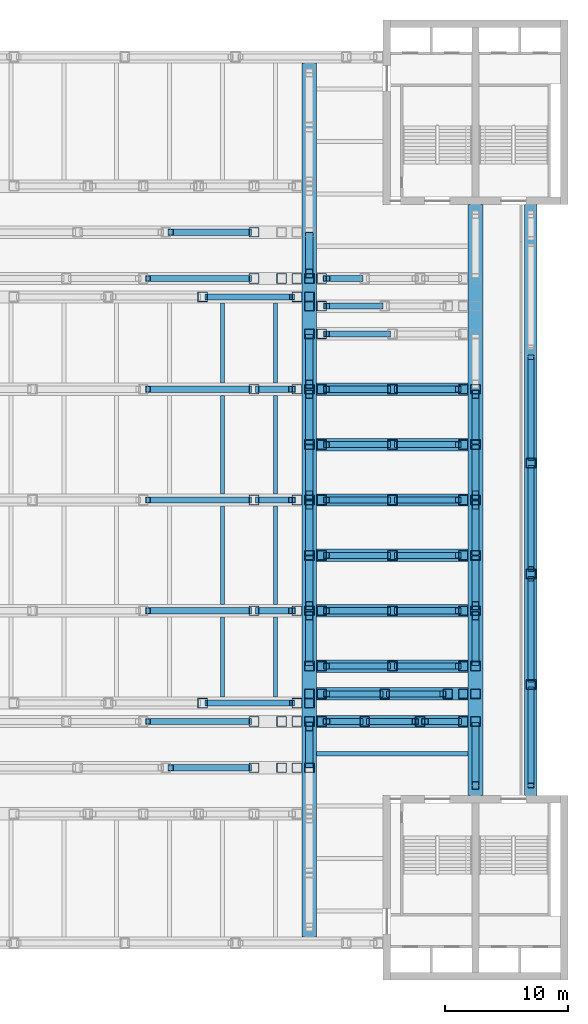
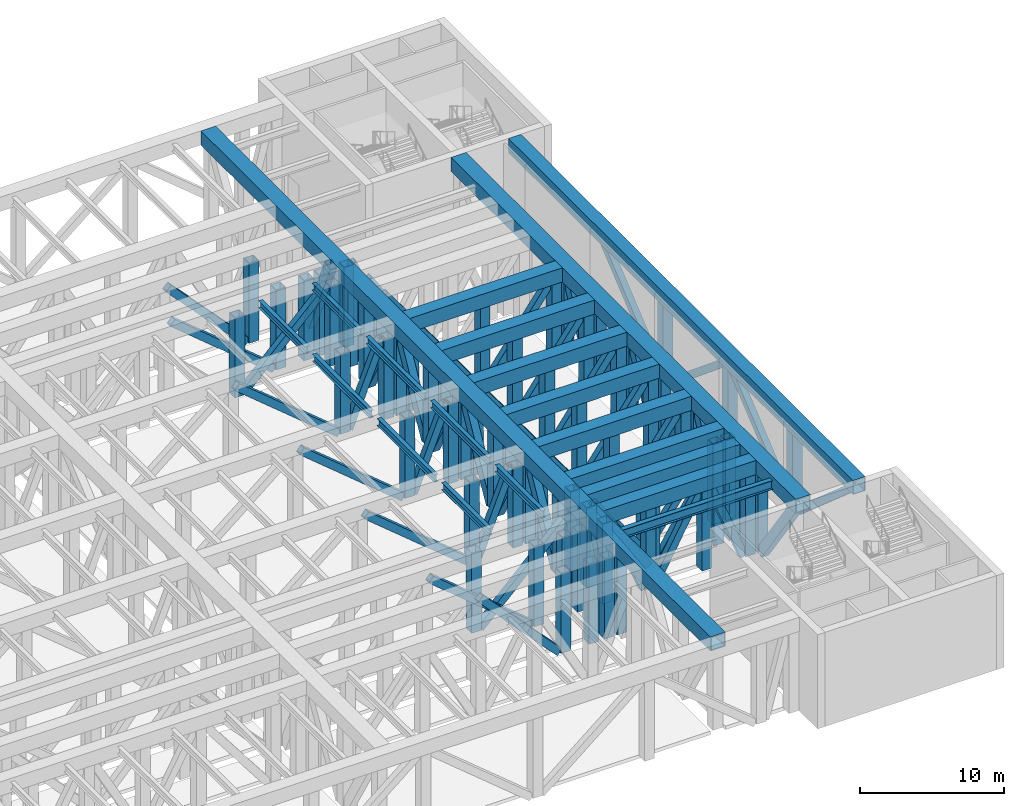
# One storey, part 4 of 20: 135 members, 9 beams.
"""IFC4 building model written with IfcOpenShell, lengths in metres."""

from ifc_helpers import new_model, si_unit, direction, frame, origin, origin_2d, place, context, subcontext, project, spatial, hollow_rectangle, i_section, extrude, material, material_profile, profile_set, type_object, element, save


model = new_model("IFC4")

# Units and contexts
model_context = context("Model", 3, precision=1e-05, world=origin(), true_north=direction((0.0, 1.0)))
body_context = subcontext(model_context, "Body", "Model", "MODEL_VIEW")
ifc_project = project(units=[si_unit("LENGTHUNIT", "METRE"), si_unit("AREAUNIT", "SQUARE_METRE"), si_unit("VOLUMEUNIT", "CUBIC_METRE"), si_unit("PLANEANGLEUNIT", "RADIAN"), si_unit("MASSUNIT", "GRAM", prefix="KILO")], contexts=[model_context])

# Site, building, storey
site_placement = place(None, origin())
site = spatial("IfcSite", under=ifc_project, at=site_placement, CompositionType="ELEMENT")
building_placement = place(site_placement, origin())
building = spatial("IfcBuilding", under=site, at=building_placement, Name="Corbelhall Arena Tower", CompositionType="ELEMENT")
storey_placement = place(building_placement, frame((0.0, 0.0, 44.0)))
storey = spatial("IfcBuildingStorey", under=building, at=storey_placement, Name="L06", CompositionType="ELEMENT", Elevation=44.0)

# Beams
ifc_material_1 = material(Name="Steel ASTM A992 Gr50", Category="steel")
ifc_material_profile_1 = material_profile(ifc_material_1, i_section(OverallWidth=0.323974609375, OverallDepth=0.611083984375, WebThickness=0.0126953125, FlangeThickness=0.01904296875, at=origin_2d()))
ifc_profile_set_1 = profile_set([ifc_material_profile_1], Name="Steel ASTM A992 Gr50")
beam_type_1 = type_object("IfcBeamType", Name="PO-BEAM-W24X104", PredefinedType="BEAM", material=ifc_profile_set_1)
for number, where, z_axis, x_axis, name in (
    (1, (19.949951171875, -16.0, 7.39453125), (0.0, 1.0, 0.0), (-1.0, 0.0, 0.0), "DECK BEAM MID 32.5"),
    (2, (24.25, -16.0, 7.39453125), (0.0, 1.0, 0.0), (-1.0, 0.0, 0.0), "DECK BEAM MID 32.6"),
):
    element("IfcBeam", number, at=place(storey_placement, frame(where, z_axis=z_axis, x_axis=x_axis)), inside=storey, type_object=beam_type_1, Name=name, PredefinedType="BEAM", context=body_context, shape_type="SweptSolid", body=[
        extrude(i_section(OverallWidth=0.323974609375, OverallDepth=0.611083984375, WebThickness=0.0126953125, FlangeThickness=0.01904296875, at=origin_2d()), origin(), (0.0, 0.0, 1.0), 6.5),
    ])
for number, where, z_axis, x_axis, name in (
    (3, (19.949951171875, -8.5, 7.39453125), (0.0, 1.0, 0.0), (-1.0, 0.0, 0.0), "DECK BEAM MID 33.5"),
    (4, (24.25, -8.5, 7.39453125), (0.0, 1.0, 0.0), (-1.0, 0.0, 0.0), "DECK BEAM MID 33.6"),
    (5, (19.949951171875, 0.5, 7.39453125), (0.0, 1.0, 0.0), (-1.0, 0.0, 0.0), "DECK BEAM MID 34.5"),
    (6, (24.25, 0.5, 7.39453125), (0.0, 1.0, 0.0), (-1.0, 0.0, 0.0), "DECK BEAM MID 34.6"),
):
    element("IfcBeam", number, at=place(storey_placement, frame(where, z_axis=z_axis, x_axis=x_axis)), inside=storey, type_object=beam_type_1, Name=name, PredefinedType="BEAM", context=body_context, shape_type="SweptSolid", body=[
        extrude(i_section(OverallWidth=0.323974609375, OverallDepth=0.611083984375, WebThickness=0.0126953125, FlangeThickness=0.01904296875, at=origin_2d()), origin(), (0.0, 0.0, 1.0), 8.0),
    ])
for number, where, z_axis, x_axis, name in (
    (7, (19.949951171875, 9.5, 7.39453125), (0.0, 1.0, 0.0), (-1.0, 0.0, 0.0), "DECK BEAM MID 35.5"),
    (8, (24.25, 9.5, 7.39453125), (0.0, 1.0, 0.0), (-1.0, 0.0, 0.0), "DECK BEAM MID 35.6"),
):
    element("IfcBeam", number, at=place(storey_placement, frame(where, z_axis=z_axis, x_axis=x_axis)), inside=storey, type_object=beam_type_1, Name=name, PredefinedType="BEAM", context=body_context, shape_type="SweptSolid", body=[
        extrude(i_section(OverallWidth=0.323974609375, OverallDepth=0.611083984375, WebThickness=0.0126953125, FlangeThickness=0.01904296875, at=origin_2d()), origin(), (0.0, 0.0, 1.0), 6.5),
    ])
ifc_material_profile_2 = material_profile(ifc_material_1, i_section(OverallWidth=0.381103515625, OverallDepth=0.77294921875, WebThickness=0.0166015625, FlangeThickness=0.027099609375, at=origin_2d()))
ifc_profile_set_2 = profile_set([ifc_material_profile_2], Name="Steel ASTM A992 Gr50")
beam_type_2 = type_object("IfcBeamType", Name="PO-BEAM-W30X173", PredefinedType="BEAM", material=ifc_profile_set_2)
beam_placement = place(storey_placement, frame((27.60009765625, -20.625, 7.3134765625), z_axis=(1.0, 0.0, 0.0), x_axis=(0.0, 1.0, 0.0)))
element("IfcBeam", 9, at=beam_placement, inside=storey, type_object=beam_type_2, Name="DECK BEAM MID 40.4", PredefinedType="BEAM", context=body_context, shape_type="SweptSolid", body=[
    extrude(i_section(OverallWidth=0.381103515625, OverallDepth=0.77294921875, WebThickness=0.0166015625, FlangeThickness=0.027099609375, at=origin_2d()), origin(), (0.0, 0.0, 1.0), 12.2998046875),
])

# Members
ifc_material_2 = material(Name="Steel ASTM A572 Gr50", Category="steel")
ifc_material_profile_3 = material_profile(ifc_material_2, hollow_rectangle(XDim=0.5, YDim=0.60009765625, WallThickness=0.030029296875, at=origin_2d()))
ifc_profile_set_3 = profile_set([ifc_material_profile_3], Name="Steel ASTM A572 Gr50")
member_type_1 = type_object("IfcMemberType", Name="PO-BRACE-600X500X30", PredefinedType="BRACE", material=ifc_profile_set_3)
member_1_placement = place(storey_placement, frame((45.0, -23.199951171875, 6.800048828125), z_axis=(0.0, 0.753772430258, -0.657135544148), x_axis=(-1.0, 0.0, 0.0)))
element("IfcMember", 10, at=member_1_placement, inside=storey, type_object=member_type_1, Name="TRUSS EDGE-E BRACE 1.1", PredefinedType="BRACE", context=body_context, shape_type="SweptSolid", body=[
    extrude(hollow_rectangle(XDim=0.5, YDim=0.60009765625, WallThickness=0.030029296875, at=origin_2d()), origin(), (0.0, 0.0, 1.0), 10.347900390625),
])
for number, where, z_axis, x_axis, name in (
    (11, (45.0, -14.60009765625, 0.0), (0.0, 0.769763178873, 0.638329576669), (-1.0, 0.0, 0.0), "TRUSS EDGE-E BRACE 1.2"),
    (12, (45.0, -5.60009765625, 6.800048828125), (0.0, 0.769763178873, -0.638329576669), (-1.0, 0.0, 0.0), "TRUSS EDGE-E BRACE 1.3"),
    (13, (45.0, 3.39990234375, 0.0), (0.0, 0.769763178873, 0.638329576669), (-1.0, 0.0, 0.0), "TRUSS EDGE-E BRACE 1.4"),
):
    element("IfcMember", number, at=place(storey_placement, frame(where, z_axis=z_axis, x_axis=x_axis)), inside=storey, type_object=member_type_1, Name=name, PredefinedType="BRACE", context=body_context, shape_type="SweptSolid", body=[
        extrude(hollow_rectangle(XDim=0.5, YDim=0.60009765625, WallThickness=0.030029296875, at=origin_2d()), origin(), (0.0, 0.0, 1.0), 10.65283203125),
    ])
member_2_placement = place(storey_placement, frame((15.7333984375, -21.75, 6.800048828125), z_axis=(0.683464108742, 0.0, -0.729984117677), x_axis=(0.0, 1.0, 0.0)))
element("IfcMember", 14, at=member_2_placement, inside=storey, type_object=member_type_1, Name="TRUSS SEC-S21.75-2 BRACE 1.3", PredefinedType="BRACE", context=body_context, shape_type="SweptSolid", body=[
    extrude(hollow_rectangle(XDim=0.5, YDim=0.60009765625, WallThickness=0.030029296875, at=origin_2d()), origin(), (0.0, 0.0, 1.0), 9.3154296875),
])
member_3_placement = place(storey_placement, frame((13.89990234375, -18.0, 6.800048828125), z_axis=(0.769763178873, 0.0, -0.638329576669), x_axis=(0.0, 1.0, 0.0)))
element("IfcMember", 15, at=member_3_placement, inside=storey, type_object=member_type_1, Name="TRUSS SEC-S18.00-2 BRACE 1.3", PredefinedType="BRACE", context=body_context, shape_type="SweptSolid", body=[
    extrude(hollow_rectangle(XDim=0.5, YDim=0.60009765625, WallThickness=0.030029296875, at=origin_2d()), origin(), (0.0, 0.0, 1.0), 10.65283203125),
])
member_4_placement = place(storey_placement, frame((28.39990234375, -18.0, 6.800048828125), z_axis=(0.369053718093, 0.0, -0.929408066008), x_axis=(0.0, 1.0, 0.0)))
element("IfcMember", 16, at=member_4_placement, inside=storey, type_object=member_type_1, Name="TRUSS SEC-S18.00-3 BRACE 1.1", PredefinedType="BRACE", context=body_context, shape_type="SweptSolid", body=[
    extrude(hollow_rectangle(XDim=0.5, YDim=0.60009765625, WallThickness=0.030029296875, at=origin_2d()), origin(), (0.0, 0.0, 1.0), 7.316650390625),
])
member_5_placement = place(storey_placement, frame((31.89990234375, -18.0, 0.0), z_axis=(0.477963647565, 0.0, 0.878379617026), x_axis=(0.0, 1.0, 0.0)))
element("IfcMember", 17, at=member_5_placement, inside=storey, type_object=member_type_1, Name="TRUSS SEC-S18.00-3 BRACE 1.2", PredefinedType="BRACE", context=body_context, shape_type="SweptSolid", body=[
    extrude(hollow_rectangle(XDim=0.5, YDim=0.60009765625, WallThickness=0.030029296875, at=origin_2d()), origin(), (0.0, 0.0, 1.0), 7.74169921875),
])
member_6_placement = place(storey_placement, frame((36.39990234375, -18.0, 6.800048828125), z_axis=(0.369053718093, 0.0, -0.929408066008), x_axis=(0.0, 1.0, 0.0)))
element("IfcMember", 18, at=member_6_placement, inside=storey, type_object=member_type_1, Name="TRUSS SEC-S18.00-3 BRACE 1.3", PredefinedType="BRACE", context=body_context, shape_type="SweptSolid", body=[
    extrude(hollow_rectangle(XDim=0.5, YDim=0.60009765625, WallThickness=0.030029296875, at=origin_2d()), origin(), (0.0, 0.0, 1.0), 7.316650390625),
])
member_7_placement = place(storey_placement, frame((18.7333984375, -16.5, 0.0), z_axis=(0.71054677033, 0.0, 0.703649974898), x_axis=(0.0, 1.0, 0.0)))
element("IfcMember", 19, at=member_7_placement, inside=storey, type_object=member_type_1, Name="TRUSS SEC-S16.50-2 BRACE 1.4", PredefinedType="BRACE", context=body_context, shape_type="SweptSolid", body=[
    extrude(hollow_rectangle(XDim=0.5, YDim=0.60009765625, WallThickness=0.030029296875, at=origin_2d()), origin(), (0.0, 0.0, 1.0), 9.6640625),
])
for number, where, z_axis, x_axis, name in (
    (20, (28.39990234375, -15.75, 6.800048828125), (0.536689259852, 0.0, -0.843779970347), (0.0, 1.0, 0.0), "TRUSS SEC-S15.75-3 BRACE 1.1"),
    (21, (33.52490234375, -15.75, 0.0), (0.536689259852, 0.0, 0.843779970347), (0.0, 1.0, 0.0), "TRUSS SEC-S15.75-3 BRACE 1.2"),
):
    element("IfcMember", number, at=place(storey_placement, frame(where, z_axis=z_axis, x_axis=x_axis)), inside=storey, type_object=member_type_1, Name=name, PredefinedType="BRACE", context=body_context, shape_type="SweptSolid", body=[
        extrude(hollow_rectangle(XDim=0.5, YDim=0.60009765625, WallThickness=0.030029296875, at=origin_2d()), origin(), (0.0, 0.0, 1.0), 8.05908203125),
    ])
for number, where, z_axis, x_axis, name in (
    (22, (28.39990234375, -13.5, 6.800048828125), (0.588537525925, 0.0, -0.808469900848), (0.0, 1.0, 0.0), "TRUSS SEC-S13.50-3 BRACE 1.1"),
    (23, (34.14990234375, -13.5, 0.0), (0.588537525925, 0.0, 0.808469900848), (0.0, 1.0, 0.0), "TRUSS SEC-S13.50-3 BRACE 1.2"),
):
    element("IfcMember", number, at=place(storey_placement, frame(where, z_axis=z_axis, x_axis=x_axis)), inside=storey, type_object=member_type_1, Name=name, PredefinedType="BRACE", context=body_context, shape_type="SweptSolid", body=[
        extrude(hollow_rectangle(XDim=0.5, YDim=0.60009765625, WallThickness=0.030029296875, at=origin_2d()), origin(), (0.0, 0.0, 1.0), 8.410888671875),
    ])
member_8_placement = place(storey_placement, frame((13.89990234375, -9.0, 6.800048828125), z_axis=(0.769763178873, 0.0, -0.638329576669), x_axis=(0.0, 1.0, 0.0)))
element("IfcMember", 24, at=member_8_placement, inside=storey, type_object=member_type_1, Name="TRUSS SEC-S09.00-2 BRACE 1.3", PredefinedType="BRACE", context=body_context, shape_type="SweptSolid", body=[
    extrude(hollow_rectangle(XDim=0.5, YDim=0.60009765625, WallThickness=0.030029296875, at=origin_2d()), origin(), (0.0, 0.0, 1.0), 10.65283203125),
])
member_9_placement = place(storey_placement, frame((22.89990234375, -9.0, 0.0), z_axis=(0.369053718093, 0.0, 0.929408066008), x_axis=(0.0, 1.0, 0.0)))
element("IfcMember", 25, at=member_9_placement, inside=storey, type_object=member_type_1, Name="TRUSS SEC-S09.00-2 BRACE 1.4", PredefinedType="BRACE", context=body_context, shape_type="SweptSolid", body=[
    extrude(hollow_rectangle(XDim=0.5, YDim=0.60009765625, WallThickness=0.030029296875, at=origin_2d()), origin(), (0.0, 0.0, 1.0), 7.316650390625),
])
for number, where, z_axis, x_axis, name in (
    (26, (28.39990234375, -9.0, 6.800048828125), (0.588537525925, 0.0, -0.808469900848), (0.0, 1.0, 0.0), "TRUSS SEC-S09.00-3 BRACE 1.1"),
    (27, (34.14990234375, -9.0, 0.0), (0.588537525925, 0.0, 0.808469900848), (0.0, 1.0, 0.0), "TRUSS SEC-S09.00-3 BRACE 1.2"),
    (28, (28.39990234375, -4.5, 6.800048828125), (0.588537525925, 0.0, -0.808469900848), (0.0, 1.0, 0.0), "TRUSS SEC-S04.50-3 BRACE 1.1"),
    (29, (34.14990234375, -4.5, 0.0), (0.588537525925, 0.0, 0.808469900848), (0.0, 1.0, 0.0), "TRUSS SEC-S04.50-3 BRACE 1.2"),
):
    element("IfcMember", number, at=place(storey_placement, frame(where, z_axis=z_axis, x_axis=x_axis)), inside=storey, type_object=member_type_1, Name=name, PredefinedType="BRACE", context=body_context, shape_type="SweptSolid", body=[
        extrude(hollow_rectangle(XDim=0.5, YDim=0.60009765625, WallThickness=0.030029296875, at=origin_2d()), origin(), (0.0, 0.0, 1.0), 8.410888671875),
    ])
member_10_placement = place(storey_placement, frame((13.89990234375, 0.0, 6.800048828125), z_axis=(0.769763178873, 0.0, -0.638329576669), x_axis=(0.0, 1.0, 0.0)))
element("IfcMember", 30, at=member_10_placement, inside=storey, type_object=member_type_1, Name="TRUSS SEC-N00.00-2 BRACE 1.3", PredefinedType="BRACE", context=body_context, shape_type="SweptSolid", body=[
    extrude(hollow_rectangle(XDim=0.5, YDim=0.60009765625, WallThickness=0.030029296875, at=origin_2d()), origin(), (0.0, 0.0, 1.0), 10.65283203125),
])
member_11_placement = place(storey_placement, frame((22.89990234375, 0.0, 0.0), z_axis=(0.369053718093, 0.0, 0.929408066008), x_axis=(0.0, 1.0, 0.0)))
element("IfcMember", 31, at=member_11_placement, inside=storey, type_object=member_type_1, Name="TRUSS SEC-N00.00-2 BRACE 1.4", PredefinedType="BRACE", context=body_context, shape_type="SweptSolid", body=[
    extrude(hollow_rectangle(XDim=0.5, YDim=0.60009765625, WallThickness=0.030029296875, at=origin_2d()), origin(), (0.0, 0.0, 1.0), 7.316650390625),
])
for number, where, z_axis, x_axis, name in (
    (32, (28.39990234375, 0.0, 6.800048828125), (0.588537525925, 0.0, -0.808469900848), (0.0, 1.0, 0.0), "TRUSS SEC-N00.00-3 BRACE 1.1"),
    (33, (34.14990234375, 0.0, 0.0), (0.588537525925, 0.0, 0.808469900848), (0.0, 1.0, 0.0), "TRUSS SEC-N00.00-3 BRACE 1.2"),
    (34, (28.39990234375, 4.5, 6.800048828125), (0.588537525925, 0.0, -0.808469900848), (0.0, 1.0, 0.0), "TRUSS SEC-N04.50-3 BRACE 1.1"),
    (35, (34.14990234375, 4.5, 0.0), (0.588537525925, 0.0, 0.808469900848), (0.0, 1.0, 0.0), "TRUSS SEC-N04.50-3 BRACE 1.2"),
):
    element("IfcMember", number, at=place(storey_placement, frame(where, z_axis=z_axis, x_axis=x_axis)), inside=storey, type_object=member_type_1, Name=name, PredefinedType="BRACE", context=body_context, shape_type="SweptSolid", body=[
        extrude(hollow_rectangle(XDim=0.5, YDim=0.60009765625, WallThickness=0.030029296875, at=origin_2d()), origin(), (0.0, 0.0, 1.0), 8.410888671875),
    ])
member_12_placement = place(storey_placement, frame((13.89990234375, 9.0, 6.800048828125), z_axis=(0.769763178873, 0.0, -0.638329576669), x_axis=(0.0, 1.0, 0.0)))
element("IfcMember", 36, at=member_12_placement, inside=storey, type_object=member_type_1, Name="TRUSS SEC-N09.00-2 BRACE 1.3", PredefinedType="BRACE", context=body_context, shape_type="SweptSolid", body=[
    extrude(hollow_rectangle(XDim=0.5, YDim=0.60009765625, WallThickness=0.030029296875, at=origin_2d()), origin(), (0.0, 0.0, 1.0), 10.65283203125),
])
member_13_placement = place(storey_placement, frame((22.89990234375, 9.0, 0.0), z_axis=(0.369053718093, 0.0, 0.929408066008), x_axis=(0.0, 1.0, 0.0)))
element("IfcMember", 37, at=member_13_placement, inside=storey, type_object=member_type_1, Name="TRUSS SEC-N09.00-2 BRACE 1.4", PredefinedType="BRACE", context=body_context, shape_type="SweptSolid", body=[
    extrude(hollow_rectangle(XDim=0.5, YDim=0.60009765625, WallThickness=0.030029296875, at=origin_2d()), origin(), (0.0, 0.0, 1.0), 7.316650390625),
])
for number, where, z_axis, x_axis, name in (
    (38, (28.39990234375, 9.0, 6.800048828125), (0.588537525925, 0.0, -0.808469900848), (0.0, 1.0, 0.0), "TRUSS SEC-N09.00-3 BRACE 1.1"),
    (39, (34.14990234375, 9.0, 0.0), (0.588537525925, 0.0, 0.808469900848), (0.0, 1.0, 0.0), "TRUSS SEC-N09.00-3 BRACE 1.2"),
    (40, (28.39990234375, 13.5, 6.800048828125), (0.588537525925, 0.0, -0.808469900848), (0.0, 1.0, 0.0), "TRUSS SEC-N13.50-3 BRACE 1.1"),
):
    element("IfcMember", number, at=place(storey_placement, frame(where, z_axis=z_axis, x_axis=x_axis)), inside=storey, type_object=member_type_1, Name=name, PredefinedType="BRACE", context=body_context, shape_type="SweptSolid", body=[
        extrude(hollow_rectangle(XDim=0.5, YDim=0.60009765625, WallThickness=0.030029296875, at=origin_2d()), origin(), (0.0, 0.0, 1.0), 8.410888671875),
    ])
member_14_placement = place(storey_placement, frame((28.39990234375, 15.75, 6.800048828125), z_axis=(0.536689259852, 0.0, -0.843779970347), x_axis=(0.0, 1.0, 0.0)))
element("IfcMember", 41, at=member_14_placement, inside=storey, type_object=member_type_1, Name="TRUSS SEC-N15.75-3 BRACE 1.1", PredefinedType="BRACE", context=body_context, shape_type="SweptSolid", body=[
    extrude(hollow_rectangle(XDim=0.5, YDim=0.60009765625, WallThickness=0.030029296875, at=origin_2d()), origin(), (0.0, 0.0, 1.0), 8.05908203125),
])
member_15_placement = place(storey_placement, frame((18.7333984375, 16.5, 0.0), z_axis=(0.71054677033, 0.0, 0.703649974898), x_axis=(0.0, 1.0, 0.0)))
element("IfcMember", 42, at=member_15_placement, inside=storey, type_object=member_type_1, Name="TRUSS SEC-N16.50-2 BRACE 1.4", PredefinedType="BRACE", context=body_context, shape_type="SweptSolid", body=[
    extrude(hollow_rectangle(XDim=0.5, YDim=0.60009765625, WallThickness=0.030029296875, at=origin_2d()), origin(), (0.0, 0.0, 1.0), 9.6640625),
])
member_16_placement = place(storey_placement, frame((13.89990234375, 18.0, 6.800048828125), z_axis=(0.769763178873, 0.0, -0.638329576669), x_axis=(0.0, 1.0, 0.0)))
element("IfcMember", 43, at=member_16_placement, inside=storey, type_object=member_type_1, Name="TRUSS SEC-N18.00-2 BRACE 1.3", PredefinedType="BRACE", context=body_context, shape_type="SweptSolid", body=[
    extrude(hollow_rectangle(XDim=0.5, YDim=0.60009765625, WallThickness=0.030029296875, at=origin_2d()), origin(), (0.0, 0.0, 1.0), 10.65283203125),
])
member_17_placement = place(storey_placement, frame((28.39990234375, 18.0, 6.800048828125), z_axis=(0.369053718093, 0.0, -0.929408066008), x_axis=(0.0, 1.0, 0.0)))
element("IfcMember", 44, at=member_17_placement, inside=storey, type_object=member_type_1, Name="TRUSS SEC-N18.00-3 BRACE 1.1", PredefinedType="BRACE", context=body_context, shape_type="SweptSolid", body=[
    extrude(hollow_rectangle(XDim=0.5, YDim=0.60009765625, WallThickness=0.030029296875, at=origin_2d()), origin(), (0.0, 0.0, 1.0), 7.316650390625),
])
member_18_placement = place(storey_placement, frame((15.7333984375, 21.75, 6.800048828125), z_axis=(0.683464108742, 0.0, -0.729984117677), x_axis=(0.0, 1.0, 0.0)))
element("IfcMember", 45, at=member_18_placement, inside=storey, type_object=member_type_1, Name="TRUSS SEC-N21.75-2 BRACE 1.3", PredefinedType="BRACE", context=body_context, shape_type="SweptSolid", body=[
    extrude(hollow_rectangle(XDim=0.5, YDim=0.60009765625, WallThickness=0.030029296875, at=origin_2d()), origin(), (0.0, 0.0, 1.0), 9.3154296875),
])
ifc_material_profile_4 = material_profile(ifc_material_2, hollow_rectangle(XDim=0.60009765625, YDim=0.800048828125, WallThickness=0.0400390625, at=origin_2d()))
ifc_profile_set_4 = profile_set([ifc_material_profile_4], Name="Steel ASTM A572 Gr50")
member_type_2 = type_object("IfcMemberType", Name="PO-BRACE-800X600X40", PredefinedType="BRACE", material=ifc_profile_set_4)
member_19_placement = place(storey_placement, frame((27.0, -21.35009765625, 0.0), z_axis=(0.0, 0.398005781953, 0.917382906715), x_axis=(-1.0, 0.0, 0.0)))
element("IfcMember", 46, at=member_19_placement, inside=storey, type_object=member_type_2, Name="TRUSS PRI-+27.0 BRACE 1.4", PredefinedType="BRACE", context=body_context, shape_type="SweptSolid", body=[
    extrude(hollow_rectangle(XDim=0.60009765625, YDim=0.800048828125, WallThickness=0.0400390625, at=origin_2d()), origin(), (0.0, 0.0, 1.0), 7.412353515625),
])
for number, where, z_axis, x_axis, name in (
    (47, (27.0, -13.10009765625, 0.0), (0.0, 0.477963647565, 0.878379617026), (-1.0, 0.0, 0.0), "TRUSS PRI-+27.0 BRACE 1.8"),
    (48, (27.0, -8.60009765625, 6.800048828125), (0.0, 0.477963647565, -0.878379617026), (-1.0, 0.0, 0.0), "TRUSS PRI-+27.0 BRACE 1.9"),
    (49, (27.0, -4.10009765625, 0.0), (0.0, 0.477963647565, 0.878379617026), (-1.0, 0.0, 0.0), "TRUSS PRI-+27.0 BRACE 1.10"),
    (50, (27.0, 0.39990234375, 6.800048828125), (0.0, 0.477963647565, -0.878379617026), (-1.0, 0.0, 0.0), "TRUSS PRI-+27.0 BRACE 1.11"),
    (51, (27.0, 4.89990234375, 0.0), (0.0, 0.477963647565, 0.878379617026), (-1.0, 0.0, 0.0), "TRUSS PRI-+27.0 BRACE 1.12"),
    (52, (27.0, 9.39990234375, 6.800048828125), (0.0, 0.477963647565, -0.878379617026), (-1.0, 0.0, 0.0), "TRUSS PRI-+27.0 BRACE 1.13"),
):
    element("IfcMember", number, at=place(storey_placement, frame(where, z_axis=z_axis, x_axis=x_axis)), inside=storey, type_object=member_type_2, Name=name, PredefinedType="BRACE", context=body_context, shape_type="SweptSolid", body=[
        extrude(hollow_rectangle(XDim=0.60009765625, YDim=0.800048828125, WallThickness=0.0400390625, at=origin_2d()), origin(), (0.0, 0.0, 1.0), 7.74169921875),
    ])
member_20_placement = place(storey_placement, frame((27.0, 18.39990234375, 6.800048828125), z_axis=(0.0, 0.398005781953, -0.917382906715), x_axis=(-1.0, 0.0, 0.0)))
element("IfcMember", 53, at=member_20_placement, inside=storey, type_object=member_type_2, Name="TRUSS PRI-+27.0 BRACE 1.17", PredefinedType="BRACE", context=body_context, shape_type="SweptSolid", body=[
    extrude(hollow_rectangle(XDim=0.60009765625, YDim=0.800048828125, WallThickness=0.0400390625, at=origin_2d()), origin(), (0.0, 0.0, 1.0), 7.412353515625),
])
member_21_placement = place(storey_placement, frame((40.5, -23.199951171875, 6.800048828125), z_axis=(0.0, 0.576684349177, -0.816967050385), x_axis=(-1.0, 0.0, 0.0)))
element("IfcMember", 54, at=member_21_placement, inside=storey, type_object=member_type_2, Name="TRUSS PRI-+40.5 BRACE 1.1", PredefinedType="BRACE", context=body_context, shape_type="SweptSolid", body=[
    extrude(hollow_rectangle(XDim=0.60009765625, YDim=0.800048828125, WallThickness=0.0400390625, at=origin_2d()), origin(), (0.0, 0.0, 1.0), 8.323486328125),
])
for number, where, z_axis, x_axis, name in (
    (55, (40.5, -13.10009765625, 0.0), (0.0, 0.477963647565, 0.878379617026), (-1.0, 0.0, 0.0), "TRUSS PRI-+40.5 BRACE 1.4"),
    (56, (40.5, -8.60009765625, 6.800048828125), (0.0, 0.477963647565, -0.878379617026), (-1.0, 0.0, 0.0), "TRUSS PRI-+40.5 BRACE 1.5"),
    (57, (40.5, -4.10009765625, 0.0), (0.0, 0.477963647565, 0.878379617026), (-1.0, 0.0, 0.0), "TRUSS PRI-+40.5 BRACE 1.6"),
    (58, (40.5, 0.39990234375, 6.800048828125), (0.0, 0.477963647565, -0.878379617026), (-1.0, 0.0, 0.0), "TRUSS PRI-+40.5 BRACE 1.7"),
    (59, (40.5, 4.89990234375, 0.0), (0.0, 0.477963647565, 0.878379617026), (-1.0, 0.0, 0.0), "TRUSS PRI-+40.5 BRACE 1.8"),
):
    element("IfcMember", number, at=place(storey_placement, frame(where, z_axis=z_axis, x_axis=x_axis)), inside=storey, type_object=member_type_2, Name=name, PredefinedType="BRACE", context=body_context, shape_type="SweptSolid", body=[
        extrude(hollow_rectangle(XDim=0.60009765625, YDim=0.800048828125, WallThickness=0.0400390625, at=origin_2d()), origin(), (0.0, 0.0, 1.0), 7.74169921875),
    ])
ifc_material_profile_5 = material_profile(ifc_material_2, hollow_rectangle(XDim=1.0, YDim=1.199951171875, WallThickness=0.06005859375, at=origin_2d()))
ifc_profile_set_5 = profile_set([ifc_material_profile_5], Name="Steel ASTM A572 Gr50")
member_type_3 = type_object("IfcMemberType", Name="PO-CHORD-1200X1000X60", PredefinedType="CHORD", material=ifc_profile_set_5)
member_22_placement = place(storey_placement, frame((45.0, -24.0, 7.39990234375), z_axis=(0.0, 1.0, 0.0), x_axis=(-1.0, 0.0, 0.0)))
element("IfcMember", 60, at=member_22_placement, inside=storey, type_object=member_type_3, Name="TRUSS EDGE-E MID CHORD", PredefinedType="CHORD", context=body_context, shape_type="SweptSolid", body=[
    extrude(hollow_rectangle(XDim=1.0, YDim=1.199951171875, WallThickness=0.06005859375, at=origin_2d()), origin(), (0.0, 0.0, 1.0), 48.0),
])
for number, where, z_axis, x_axis, name in (
    (61, (27.60009765625, -18.0, 7.39990234375), (1.0, 0.0, 0.0), (0.0, 1.0, 0.0), "TRUSS SEC-S18.00-3 MID CHORD"),
    (62, (27.60009765625, -15.75, 7.39990234375), (1.0, 0.0, 0.0), (0.0, 1.0, 0.0), "TRUSS SEC-S15.75-3 MID CHORD"),
    (63, (27.60009765625, -13.5, 7.39990234375), (1.0, 0.0, 0.0), (0.0, 1.0, 0.0), "TRUSS SEC-S13.50-3 MID CHORD"),
    (64, (27.60009765625, -9.0, 7.39990234375), (1.0, 0.0, 0.0), (0.0, 1.0, 0.0), "TRUSS SEC-S09.00-3 MID CHORD"),
    (65, (27.60009765625, -4.5, 7.39990234375), (1.0, 0.0, 0.0), (0.0, 1.0, 0.0), "TRUSS SEC-S04.50-3 MID CHORD"),
    (66, (27.60009765625, 0.0, 7.39990234375), (1.0, 0.0, 0.0), (0.0, 1.0, 0.0), "TRUSS SEC-N00.00-3 MID CHORD"),
    (67, (27.60009765625, 4.5, 7.39990234375), (1.0, 0.0, 0.0), (0.0, 1.0, 0.0), "TRUSS SEC-N04.50-3 MID CHORD"),
    (68, (27.60009765625, 9.0, 7.39990234375), (1.0, 0.0, 0.0), (0.0, 1.0, 0.0), "TRUSS SEC-N09.00-3 MID CHORD"),
):
    element("IfcMember", number, at=place(storey_placement, frame(where, z_axis=z_axis, x_axis=x_axis)), inside=storey, type_object=member_type_3, Name=name, PredefinedType="CHORD", context=body_context, shape_type="SweptSolid", body=[
        extrude(hollow_rectangle(XDim=1.0, YDim=1.199951171875, WallThickness=0.06005859375, at=origin_2d()), origin(), (0.0, 0.0, 1.0), 12.2998046875),
    ])
ifc_material_profile_6 = material_profile(ifc_material_2, hollow_rectangle(XDim=1.199951171875, YDim=1.199951171875, WallThickness=0.080078125, at=origin_2d()))
ifc_profile_set_6 = profile_set([ifc_material_profile_6], Name="Steel ASTM A572 Gr50")
member_type_4 = type_object("IfcMemberType", Name="PO-CHORD-1200X1200X80", PredefinedType="CHORD", material=ifc_profile_set_6)
member_23_placement = place(storey_placement, frame((27.0, -35.5, 7.39990234375), z_axis=(0.0, 1.0, 0.0), x_axis=(-1.0, 0.0, 0.0)))
element("IfcMember", 69, at=member_23_placement, inside=storey, type_object=member_type_4, Name="TRUSS PRI-+27.0 MID CHORD", PredefinedType="CHORD", context=body_context, shape_type="SweptSolid", body=[
    extrude(hollow_rectangle(XDim=1.199951171875, YDim=1.199951171875, WallThickness=0.080078125, at=origin_2d()), origin(), (0.0, 0.0, 1.0), 71.0),
])
member_24_placement = place(storey_placement, frame((40.5, -24.0, 7.39990234375), z_axis=(0.0, 1.0, 0.0), x_axis=(-1.0, 0.0, 0.0)))
element("IfcMember", 70, at=member_24_placement, inside=storey, type_object=member_type_4, Name="TRUSS PRI-+40.5 MID CHORD", PredefinedType="CHORD", context=body_context, shape_type="SweptSolid", body=[
    extrude(hollow_rectangle(XDim=1.199951171875, YDim=1.199951171875, WallThickness=0.080078125, at=origin_2d()), origin(), (0.0, 0.0, 1.0), 48.0),
])
ifc_material_profile_7 = material_profile(ifc_material_2, hollow_rectangle(XDim=0.800048828125, YDim=0.800048828125, WallThickness=0.050048828125, at=origin_2d()))
ifc_profile_set_7 = profile_set([ifc_material_profile_7], Name="Steel ASTM A572 Gr50")
member_type_5 = type_object("IfcMemberType", Name="PO-POST-800", PredefinedType="POST", material=ifc_profile_set_7)
for number, where, z_axis, x_axis, name in (
    (71, (45.0, -15.0, 0.0), (0.0, 0.0, 1.0), (1.0, 0.0, 0.0), "TRUSS EDGE-E POST 1.2"),
    (72, (45.0, -6.0, 0.0), (0.0, 0.0, 1.0), (1.0, 0.0, 0.0), "TRUSS EDGE-E POST 1.3"),
    (73, (45.0, 3.0, 0.0), (0.0, 0.0, 1.0), (1.0, 0.0, 0.0), "TRUSS EDGE-E POST 1.4"),
    (74, (22.5, -21.75, 0.0), (0.0, 0.0, 1.0), (1.0, 0.0, 0.0), "TRUSS SEC-S21.75-2 POST 1.4"),
    (75, (24.75, -21.75, 0.0), (0.0, 0.0, 1.0), (1.0, 0.0, 0.0), "TRUSS SEC-S21.75-2 POST 1.5"),
    (76, (26.0, -21.75, 0.0), (0.0, 0.0, 1.0), (1.0, 0.0, 0.0), "TRUSS SEC-S21.75-2 POST 1.6"),
    (77, (22.5, -18.0, 0.0), (0.0, 0.0, 1.0), (1.0, 0.0, 0.0), "TRUSS SEC-S18.00-2 POST 1.4"),
    (78, (24.75, -18.0, 0.0), (0.0, 0.0, 1.0), (1.0, 0.0, 0.0), "TRUSS SEC-S18.00-2 POST 1.5"),
    (79, (26.0, -18.0, 0.0), (0.0, 0.0, 1.0), (1.0, 0.0, 0.0), "TRUSS SEC-S18.00-2 POST 1.6"),
    (80, (28.0, -18.0, 0.0), (0.0, 0.0, 1.0), (1.0, 0.0, 0.0), "TRUSS SEC-S18.00-3 POST 1.1"),
    (81, (31.5, -18.0, 0.0), (0.0, 0.0, 1.0), (1.0, 0.0, 0.0), "TRUSS SEC-S18.00-3 POST 1.2"),
    (82, (36.0, -18.0, 0.0), (0.0, 0.0, 1.0), (1.0, 0.0, 0.0), "TRUSS SEC-S18.00-3 POST 1.3"),
    (83, (39.5, -18.0, 0.0), (0.0, 0.0, 1.0), (1.0, 0.0, 0.0), "TRUSS SEC-S18.00-3 POST 1.4"),
    (84, (18.333251953125, -16.5, 0.0), (0.0, 0.0, 1.0), (1.0, 0.0, 0.0), "TRUSS SEC-S16.50-2 POST 1.4"),
    (85, (26.0, -16.5, 0.0), (0.0, 0.0, 1.0), (1.0, 0.0, 0.0), "TRUSS SEC-S16.50-2 POST 1.5"),
    (86, (28.0, -15.75, 0.0), (0.0, 0.0, 1.0), (1.0, 0.0, 0.0), "TRUSS SEC-S15.75-3 POST 1.1"),
    (87, (33.125, -15.75, 0.0), (0.0, 0.0, 1.0), (1.0, 0.0, 0.0), "TRUSS SEC-S15.75-3 POST 1.2"),
    (88, (38.25, -15.75, 0.0), (0.0, 0.0, 1.0), (1.0, 0.0, 0.0), "TRUSS SEC-S15.75-3 POST 1.3"),
    (89, (39.5, -15.75, 0.0), (0.0, 0.0, 1.0), (1.0, 0.0, 0.0), "TRUSS SEC-S15.75-3 POST 1.4"),
    (90, (28.0, -13.5, 0.0), (0.0, 0.0, 1.0), (1.0, 0.0, 0.0), "TRUSS SEC-S13.50-3 POST 1.1"),
    (91, (33.75, -13.5, 0.0), (0.0, 0.0, 1.0), (1.0, 0.0, 0.0), "TRUSS SEC-S13.50-3 POST 1.2"),
    (92, (39.5, -13.5, 0.0), (0.0, 0.0, 1.0), (1.0, 0.0, 0.0), "TRUSS SEC-S13.50-3 POST 1.3"),
    (93, (22.5, -9.0, 0.0), (0.0, 0.0, 1.0), (1.0, 0.0, 0.0), "TRUSS SEC-S09.00-2 POST 1.4"),
    (94, (26.0, -9.0, 0.0), (0.0, 0.0, 1.0), (1.0, 0.0, 0.0), "TRUSS SEC-S09.00-2 POST 1.5"),
    (95, (28.0, -9.0, 0.0), (0.0, 0.0, 1.0), (1.0, 0.0, 0.0), "TRUSS SEC-S09.00-3 POST 1.1"),
    (96, (33.75, -9.0, 0.0), (0.0, 0.0, 1.0), (1.0, 0.0, 0.0), "TRUSS SEC-S09.00-3 POST 1.2"),
    (97, (39.5, -9.0, 0.0), (0.0, 0.0, 1.0), (1.0, 0.0, 0.0), "TRUSS SEC-S09.00-3 POST 1.3"),
    (98, (28.0, -4.5, 0.0), (0.0, 0.0, 1.0), (1.0, 0.0, 0.0), "TRUSS SEC-S04.50-3 POST 1.1"),
    (99, (33.75, -4.5, 0.0), (0.0, 0.0, 1.0), (1.0, 0.0, 0.0), "TRUSS SEC-S04.50-3 POST 1.2"),
    (100, (39.5, -4.5, 0.0), (0.0, 0.0, 1.0), (1.0, 0.0, 0.0), "TRUSS SEC-S04.50-3 POST 1.3"),
    (101, (22.5, 0.0, 0.0), (0.0, 0.0, 1.0), (1.0, 0.0, 0.0), "TRUSS SEC-N00.00-2 POST 1.4"),
    (102, (26.0, 0.0, 0.0), (0.0, 0.0, 1.0), (1.0, 0.0, 0.0), "TRUSS SEC-N00.00-2 POST 1.5"),
    (103, (28.0, 0.0, 0.0), (0.0, 0.0, 1.0), (1.0, 0.0, 0.0), "TRUSS SEC-N00.00-3 POST 1.1"),
    (104, (33.75, 0.0, 0.0), (0.0, 0.0, 1.0), (1.0, 0.0, 0.0), "TRUSS SEC-N00.00-3 POST 1.2"),
    (105, (39.5, 0.0, 0.0), (0.0, 0.0, 1.0), (1.0, 0.0, 0.0), "TRUSS SEC-N00.00-3 POST 1.3"),
    (106, (28.0, 4.5, 0.0), (0.0, 0.0, 1.0), (1.0, 0.0, 0.0), "TRUSS SEC-N04.50-3 POST 1.1"),
    (107, (33.75, 4.5, 0.0), (0.0, 0.0, 1.0), (1.0, 0.0, 0.0), "TRUSS SEC-N04.50-3 POST 1.2"),
    (108, (39.5, 4.5, 0.0), (0.0, 0.0, 1.0), (1.0, 0.0, 0.0), "TRUSS SEC-N04.50-3 POST 1.3"),
    (109, (22.5, 9.0, 0.0), (0.0, 0.0, 1.0), (1.0, 0.0, 0.0), "TRUSS SEC-N09.00-2 POST 1.4"),
    (110, (26.0, 9.0, 0.0), (0.0, 0.0, 1.0), (1.0, 0.0, 0.0), "TRUSS SEC-N09.00-2 POST 1.5"),
    (111, (28.0, 9.0, 0.0), (0.0, 0.0, 1.0), (1.0, 0.0, 0.0), "TRUSS SEC-N09.00-3 POST 1.1"),
    (112, (33.75, 9.0, 0.0), (0.0, 0.0, 1.0), (1.0, 0.0, 0.0), "TRUSS SEC-N09.00-3 POST 1.2"),
    (113, (39.5, 9.0, 0.0), (0.0, 0.0, 1.0), (1.0, 0.0, 0.0), "TRUSS SEC-N09.00-3 POST 1.3"),
    (114, (28.0, 13.5, 0.0), (0.0, 0.0, 1.0), (1.0, 0.0, 0.0), "TRUSS SEC-N13.50-3 POST 1.1"),
    (115, (28.0, 15.75, 0.0), (0.0, 0.0, 1.0), (1.0, 0.0, 0.0), "TRUSS SEC-N15.75-3 POST 1.1"),
    (116, (18.333251953125, 16.5, 0.0), (0.0, 0.0, 1.0), (1.0, 0.0, 0.0), "TRUSS SEC-N16.50-2 POST 1.4"),
    (117, (26.0, 16.5, 0.0), (0.0, 0.0, 1.0), (1.0, 0.0, 0.0), "TRUSS SEC-N16.50-2 POST 1.5"),
    (118, (22.5, 18.0, 0.0), (0.0, 0.0, 1.0), (1.0, 0.0, 0.0), "TRUSS SEC-N18.00-2 POST 1.4"),
    (119, (24.75, 18.0, 0.0), (0.0, 0.0, 1.0), (1.0, 0.0, 0.0), "TRUSS SEC-N18.00-2 POST 1.5"),
    (120, (26.0, 18.0, 0.0), (0.0, 0.0, 1.0), (1.0, 0.0, 0.0), "TRUSS SEC-N18.00-2 POST 1.6"),
    (121, (28.0, 18.0, 0.0), (0.0, 0.0, 1.0), (1.0, 0.0, 0.0), "TRUSS SEC-N18.00-3 POST 1.1"),
    (122, (22.5, 21.75, 0.0), (0.0, 0.0, 1.0), (1.0, 0.0, 0.0), "TRUSS SEC-N21.75-2 POST 1.4"),
    (123, (27.0, -21.75, 0.0), (0.0, 0.0, 1.0), (1.0, 0.0, 0.0), "TRUSS PRI-+27.0 POST 1.4"),
    (124, (27.0, -18.0, 0.0), (0.0, 0.0, 1.0), (1.0, 0.0, 0.0), "TRUSS PRI-+27.0 POST 1.5"),
    (125, (27.0, -16.5, 0.0), (0.0, 0.0, 1.0), (1.0, 0.0, 0.0), "TRUSS PRI-+27.0 POST 1.6"),
    (126, (27.0, -15.75, 0.0), (0.0, 0.0, 1.0), (1.0, 0.0, 0.0), "TRUSS PRI-+27.0 POST 1.7"),
    (127, (27.0, -13.5, 0.0), (0.0, 0.0, 1.0), (1.0, 0.0, 0.0), "TRUSS PRI-+27.0 POST 1.8"),
    (128, (27.0, -9.0, 0.0), (0.0, 0.0, 1.0), (1.0, 0.0, 0.0), "TRUSS PRI-+27.0 POST 1.9"),
    (129, (27.0, -4.5, 0.0), (0.0, 0.0, 1.0), (1.0, 0.0, 0.0), "TRUSS PRI-+27.0 POST 1.10"),
    (130, (27.0, 0.0, 0.0), (0.0, 0.0, 1.0), (1.0, 0.0, 0.0), "TRUSS PRI-+27.0 POST 1.11"),
    (131, (27.0, 4.5, 0.0), (0.0, 0.0, 1.0), (1.0, 0.0, 0.0), "TRUSS PRI-+27.0 POST 1.12"),
    (132, (27.0, 9.0, 0.0), (0.0, 0.0, 1.0), (1.0, 0.0, 0.0), "TRUSS PRI-+27.0 POST 1.13"),
    (133, (27.0, 13.5, 0.0), (0.0, 0.0, 1.0), (1.0, 0.0, 0.0), "TRUSS PRI-+27.0 POST 1.14"),
    (134, (27.0, 15.75, 0.0), (0.0, 0.0, 1.0), (1.0, 0.0, 0.0), "TRUSS PRI-+27.0 POST 1.15"),
    (135, (27.0, 16.5, 0.0), (0.0, 0.0, 1.0), (1.0, 0.0, 0.0), "TRUSS PRI-+27.0 POST 1.16"),
    (136, (27.0, 18.0, 0.0), (0.0, 0.0, 1.0), (1.0, 0.0, 0.0), "TRUSS PRI-+27.0 POST 1.17"),
    (137, (40.5, -18.0, 0.0), (0.0, 0.0, 1.0), (1.0, 0.0, 0.0), "TRUSS PRI-+40.5 POST 1.2"),
    (138, (40.5, -15.75, 0.0), (0.0, 0.0, 1.0), (1.0, 0.0, 0.0), "TRUSS PRI-+40.5 POST 1.3"),
    (139, (40.5, -13.5, 0.0), (0.0, 0.0, 1.0), (1.0, 0.0, 0.0), "TRUSS PRI-+40.5 POST 1.4"),
    (140, (40.5, -9.0, 0.0), (0.0, 0.0, 1.0), (1.0, 0.0, 0.0), "TRUSS PRI-+40.5 POST 1.5"),
    (141, (40.5, -4.5, 0.0), (0.0, 0.0, 1.0), (1.0, 0.0, 0.0), "TRUSS PRI-+40.5 POST 1.6"),
    (142, (40.5, 0.0, 0.0), (0.0, 0.0, 1.0), (1.0, 0.0, 0.0), "TRUSS PRI-+40.5 POST 1.7"),
    (143, (40.5, 4.5, 0.0), (0.0, 0.0, 1.0), (1.0, 0.0, 0.0), "TRUSS PRI-+40.5 POST 1.8"),
    (144, (40.5, 9.0, 0.0), (0.0, 0.0, 1.0), (1.0, 0.0, 0.0), "TRUSS PRI-+40.5 POST 1.9"),
):
    element("IfcMember", number, at=place(storey_placement, frame(where, z_axis=z_axis, x_axis=x_axis)), inside=storey, type_object=member_type_5, Name=name, PredefinedType="POST", context=body_context, shape_type="SweptSolid", body=[
        extrude(hollow_rectangle(XDim=0.800048828125, YDim=0.800048828125, WallThickness=0.050048828125, at=origin_2d()), origin(), (0.0, 0.0, 1.0), 6.800048828125),
    ])

save(model, "model.ifc")
